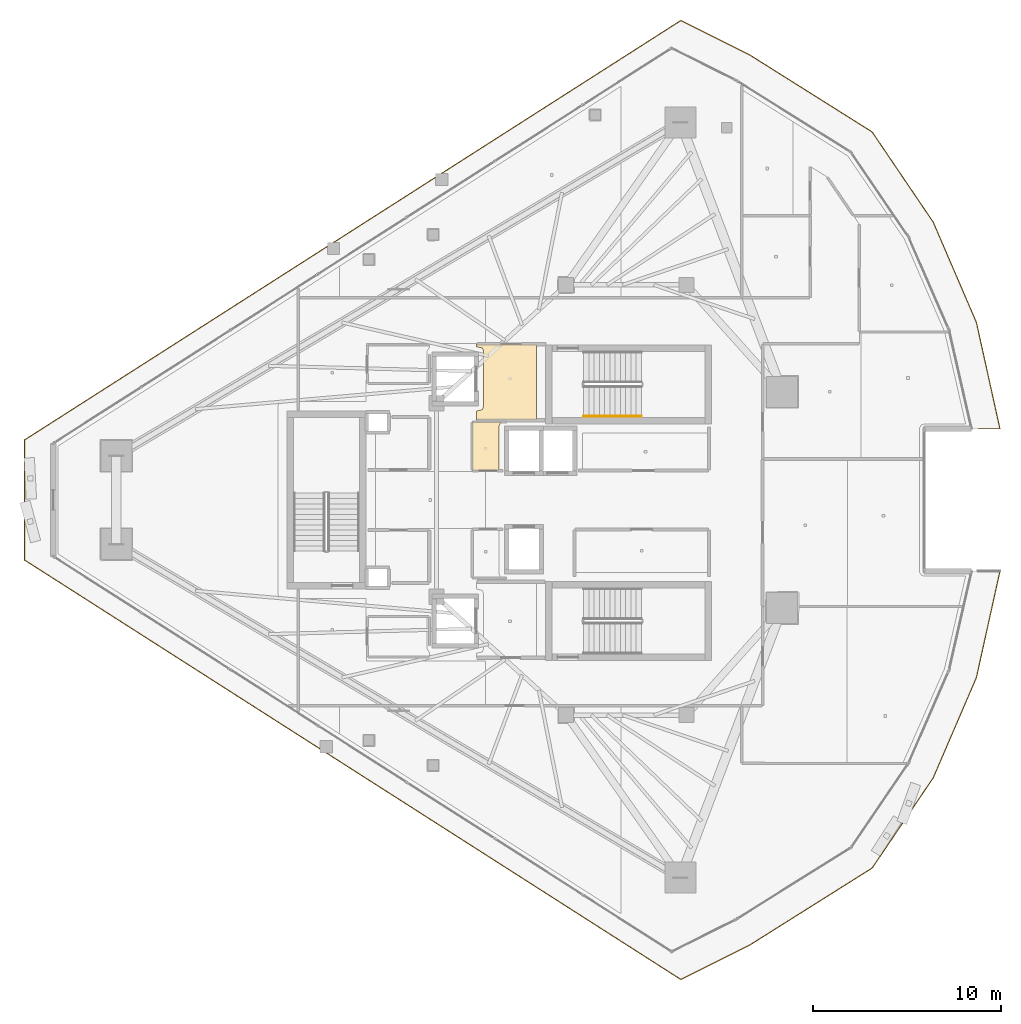
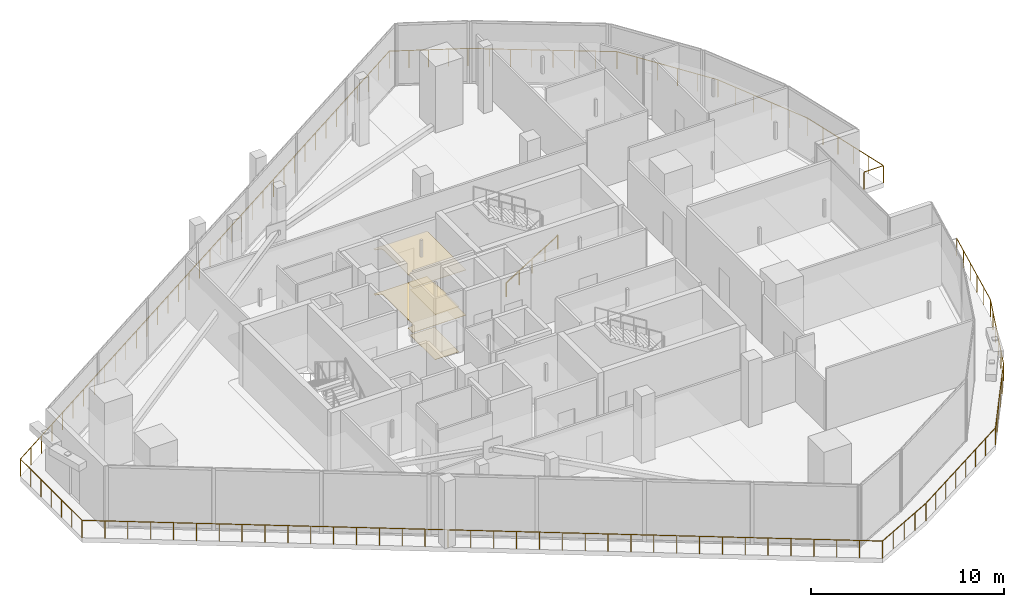
# One storey, part 32 of 34: 4 coverings, 2 railings.
"""IFC4 building model written with IfcOpenShell, lengths in metres."""

from ifc_helpers import new_model, si_unit, direction, frame, origin, origin_2d, place, context, subcontext, project, spatial, polyline, circle, outline, extrude, material, layer, layer_set, type_object, element, save


model = new_model("IFC4")

# Units and contexts
model_context = context("Model", 3, precision=1e-05, world=origin(), true_north=direction((0.0, 1.0)))
body_context = subcontext(model_context, "Body", "Model", "MODEL_VIEW")
ifc_project = project(units=[si_unit("LENGTHUNIT", "METRE"), si_unit("AREAUNIT", "SQUARE_METRE"), si_unit("VOLUMEUNIT", "CUBIC_METRE"), si_unit("PLANEANGLEUNIT", "RADIAN"), si_unit("MASSUNIT", "GRAM", prefix="KILO")], contexts=[model_context])

# Site, building, storey
site_placement = place(None, origin())
site = spatial("IfcSite", under=ifc_project, at=site_placement, CompositionType="ELEMENT")
building_placement = place(site_placement, origin())
building = spatial("IfcBuilding", under=site, at=building_placement, Name="Qorvath Tower", CompositionType="ELEMENT")
storey_placement = place(building_placement, frame((0.0, 0.0, 276.60009765625)))
storey = spatial("IfcBuildingStorey", under=building, at=storey_placement, Name="L64", CompositionType="ELEMENT", Elevation=276.60009765625)

# Coverings
ifc_material_1 = material(Name="Acoustic mineral fibre ceiling tile", Category="gypsum")
ifc_layer_1 = layer(ifc_material_1, 0.030029296875)
ifc_layer_set_1 = layer_set([ifc_layer_1], Name="COV-CEIL")
covering_type_1 = type_object("IfcCoveringType", Name="COV-CEIL", PredefinedType="CEILING", material=ifc_layer_set_1)
covering_1_placement = place(storey_placement, frame((0.0, 0.0, 2.849853515625)))
element("IfcCovering", 1, at=covering_1_placement, inside=storey, type_object=covering_type_1, Name="L64 Suspended Acoustic Ceiling 001", PredefinedType="CEILING", context=body_context, shape_type="SweptSolid", body=[
    extrude(outline(polyline([(-25.18994140625, 4.2548828125), (-25.18994140625, 8.294921875), (-28.375, 8.294921875), (-28.375, 8.159912109375), (-28.063232421875, 8.086669921875), (-27.989990234375, 7.909912109375), (-27.989990234375, 4.989990234375), (-28.063232421875, 4.813232421875), (-28.375, 4.739990234375), (-28.375, 4.2548828125), (-25.18994140625, 4.2548828125)])), origin(), (0.0, 0.0, 1.0), 0.030029296875),
])
covering_2_placement = place(storey_placement, frame((0.0, 0.0, 2.849853515625)))
element("IfcCovering", 2, at=covering_2_placement, inside=storey, type_object=covering_type_1, Name="L64 Suspended Acoustic Ceiling 005", PredefinedType="CEILING", context=body_context, shape_type="SweptSolid", body=[
    extrude(outline(polyline([(-27.159912109375, 1.56494140625), (-27.159912109375, 3.9599609375), (-27.06689453125, 4.14501953125), (-28.594970703125, 4.14501953125), (-28.594970703125, 1.56494140625), (-27.159912109375, 1.56494140625)])), origin(), (0.0, 0.0, 1.0), 0.030029296875),
])
ifc_material_2 = material(Name="Low-VOC modular carpet tile", Category="textile")
ifc_layer_2 = layer(ifc_material_2, 0.014892578125)
ifc_layer_set_2 = layer_set([ifc_layer_2], Name="COV-FLOOR-CPT")
covering_type_2 = type_object("IfcCoveringType", Name="COV-FLOOR-CPT", PredefinedType="FLOORING", material=ifc_layer_set_2)
covering_3_placement = place(storey_placement, origin())
element("IfcCovering", 3, at=covering_3_placement, inside=storey, type_object=covering_type_2, Name="L64 Floor Finish 005", PredefinedType="FLOORING", context=body_context, shape_type="SweptSolid", body=[
    extrude(outline(polyline([(-27.159912109375, 1.56494140625), (-27.159912109375, 3.9599609375), (-27.06689453125, 4.14501953125), (-28.594970703125, 4.14501953125), (-28.594970703125, 1.56494140625), (-27.159912109375, 1.56494140625)])), origin(), (0.0, 0.0, 1.0), 0.014892578125),
])
ifc_material_3 = material(Name="Polished epoxy terrazzo flooring", Category="concrete")
ifc_layer_3 = layer(ifc_material_3, 0.02001953125)
ifc_layer_set_3 = layer_set([ifc_layer_3], Name="COV-FLOOR-TRZ")
covering_type_3 = type_object("IfcCoveringType", Name="COV-FLOOR-TRZ", PredefinedType="FLOORING", material=ifc_layer_set_3)
covering_4_placement = place(storey_placement, origin())
element("IfcCovering", 4, at=covering_4_placement, inside=storey, type_object=covering_type_3, Name="L64 Floor Finish 001", PredefinedType="FLOORING", context=body_context, shape_type="SweptSolid", body=[
    extrude(outline(polyline([(-25.18994140625, 4.2548828125), (-25.18994140625, 8.294921875), (-28.375, 8.294921875), (-28.375, 8.159912109375), (-28.063232421875, 8.086669921875), (-27.989990234375, 7.909912109375), (-27.989990234375, 4.989990234375), (-28.063232421875, 4.813232421875), (-28.375, 4.739990234375), (-28.375, 4.2548828125), (-25.18994140625, 4.2548828125)])), origin(), (0.0, 0.0, 1.0), 0.014892578125),
])

# Railings
ifc_material_4 = material(Name="Laminated safety glass and stainless steel AISI 316", Category="steel")
railing_type_1 = type_object("IfcRailingType", Name="RL-EXT-GRD", PredefinedType="GUARDRAIL", material=ifc_material_4)
railing_1_placement = place(storey_placement, frame((-0.5029296875, -3.790771484375, 0.0)))
element("IfcRailing", 5, at=railing_1_placement, inside=storey, type_object=railing_type_1, Name="Loggia Perimeter Guardrail L64-1.1", PredefinedType="GUARDRAIL", context=body_context, shape_type="SweptSolid", body=[
    extrude(circle(Radius=0.02392578125, at=origin_2d()), frame((0.0, 0.0, 1.09619140625), z_axis=(-0.216053085193, -0.97638161821, 0.0), x_axis=(0.97638161821, -0.216053085193, 0.0)), (0.0, 0.0, 1.0), 5.804931640625),
    extrude(circle(Radius=0.02392578125, at=origin_2d()), frame((-1.254150390625, -5.667724609375, 1.09619140625), z_axis=(-0.39549727844, -0.918467148431, 0.0), x_axis=(0.918467148431, -0.39549727844, 0.0)), (0.0, 0.0, 1.0), 5.80517578125),
    extrude(circle(Radius=0.02392578125, at=origin_2d()), frame((-3.550048828125, -10.99951171875, 1.09619140625), z_axis=(-0.560828616458, -0.827931919279, 0.0), x_axis=(0.827931919279, -0.560828616458, 0.0)), (0.0, 0.0, 1.0), 5.804931640625),
    extrude(circle(Radius=0.02392578125, at=origin_2d()), frame((-6.8056640625, -15.8056640625, 1.09619140625), z_axis=(-0.846504202931, -0.532382038033, 0.0), x_axis=(0.532382038033, -0.846504202931, 0.0)), (0.0, 0.0, 1.0), 7.71923828125),
    extrude(circle(Radius=0.02392578125, at=origin_2d()), frame((-13.340087890625, -19.915283203125, 1.09619140625), z_axis=(-0.894403239972, -0.447261494349, 0.0), x_axis=(0.447261494349, -0.894403239972, 0.0)), (0.0, 0.0, 1.0), 4.07763671875),
    extrude(circle(Radius=0.02392578125, at=origin_2d()), frame((-16.987060546875, -21.739013671875, 1.09619140625), z_axis=(-0.842602711226, 0.538535672945, 0.0), x_axis=(-0.538535672945, -0.842602711226, 0.0)), (0.0, 0.0, 1.0), 41.480224609375),
    extrude(circle(Radius=0.02392578125, at=origin_2d()), frame((-51.9384765625, 0.599609375, 1.09619140625), z_axis=(0.0, 1.0, 0.0), x_axis=(-1.0, 0.0, 0.0)), (0.0, 0.0, 1.0), 6.38232421875),
    extrude(circle(Radius=0.02392578125, at=origin_2d()), frame((-51.9384765625, 6.98193359375, 1.09619140625), z_axis=(0.842602711226, 0.538535672945, 0.0), x_axis=(-0.538535672945, 0.842602711226, 0.0)), (0.0, 0.0, 1.0), 41.480224609375),
    extrude(circle(Radius=0.02392578125, at=origin_2d()), frame((-16.987060546875, 29.320556640625, 1.09619140625), z_axis=(0.894403239972, -0.447261494349, 0.0), x_axis=(0.447261494349, 0.894403239972, 0.0)), (0.0, 0.0, 1.0), 4.07763671875),
    extrude(circle(Radius=0.02392578125, at=origin_2d()), frame((-13.340087890625, 27.496826171875, 1.09619140625), z_axis=(0.846504202931, -0.532382038033, 0.0), x_axis=(0.532382038033, 0.846504202931, 0.0)), (0.0, 0.0, 1.0), 7.71923828125),
    extrude(circle(Radius=0.02392578125, at=origin_2d()), frame((-6.8056640625, 23.38720703125, 1.09619140625), z_axis=(0.560828616458, -0.827931919279, 0.0), x_axis=(0.827931919279, 0.560828616458, 0.0)), (0.0, 0.0, 1.0), 5.804931640625),
    extrude(circle(Radius=0.02392578125, at=origin_2d()), frame((-3.550048828125, 18.5810546875, 1.09619140625), z_axis=(0.39549727844, -0.918467148431, 0.0), x_axis=(0.918467148431, 0.39549727844, 0.0)), (0.0, 0.0, 1.0), 5.80517578125),
    extrude(circle(Radius=0.02392578125, at=origin_2d()), frame((-1.254150390625, 13.249267578125, 1.09619140625), z_axis=(0.216053085193, -0.97638161821, 0.0), x_axis=(0.97638161821, 0.216053085193, 0.0)), (0.0, 0.0, 1.0), 5.804931640625),
    extrude(circle(Radius=0.02392578125, at=origin_2d()), frame((0.0, 7.58154296875, 1.09619140625), z_axis=(-1.0, 0.0, 0.0), x_axis=(0.0, -1.0, 0.0)), (0.0, 0.0, 1.0), 1.158935546875),
    extrude(circle(Radius=0.02099609375, at=origin_2d()), origin(), (0.0, 0.0, 1.0), 1.072021484375),
    extrude(circle(Radius=0.02099609375, at=origin_2d()), frame((-0.250732421875, -1.133544921875, 0.0)), (0.0, 0.0, 1.0), 1.072021484375),
    extrude(circle(Radius=0.02099609375, at=origin_2d()), frame((-0.501708984375, -2.26708984375, 0.0)), (0.0, 0.0, 1.0), 1.072021484375),
    extrude(circle(Radius=0.02099609375, at=origin_2d()), frame((-0.75244140625, -3.400634765625, 0.0)), (0.0, 0.0, 1.0), 1.072021484375),
    extrude(circle(Radius=0.02099609375, at=origin_2d()), frame((-1.00341796875, -4.5341796875, 0.0)), (0.0, 0.0, 1.0), 1.072021484375),
    extrude(circle(Radius=0.02099609375, at=origin_2d()), frame((-1.254150390625, -5.667724609375, 0.0)), (0.0, 0.0, 1.0), 1.072021484375),
    extrude(circle(Radius=0.02099609375, at=origin_2d()), frame((-1.71337890625, -6.734130859375, 0.0)), (0.0, 0.0, 1.0), 1.072021484375),
    extrude(circle(Radius=0.02099609375, at=origin_2d()), frame((-2.172607421875, -7.800537109375, 0.0)), (0.0, 0.0, 1.0), 1.072021484375),
    extrude(circle(Radius=0.02099609375, at=origin_2d()), frame((-2.631591796875, -8.86669921875, 0.0)), (0.0, 0.0, 1.0), 1.072021484375),
    extrude(circle(Radius=0.02099609375, at=origin_2d()), frame((-3.0908203125, -9.93310546875, 0.0)), (0.0, 0.0, 1.0), 1.072021484375),
    extrude(circle(Radius=0.02099609375, at=origin_2d()), frame((-3.550048828125, -10.99951171875, 0.0)), (0.0, 0.0, 1.0), 1.072021484375),
    extrude(circle(Radius=0.02099609375, at=origin_2d()), frame((-4.201171875, -11.960693359375, 0.0)), (0.0, 0.0, 1.0), 1.072021484375),
    extrude(circle(Radius=0.02099609375, at=origin_2d()), frame((-4.852294921875, -12.921875, 0.0)), (0.0, 0.0, 1.0), 1.072021484375),
    extrude(circle(Radius=0.02099609375, at=origin_2d()), frame((-5.50341796875, -13.88330078125, 0.0)), (0.0, 0.0, 1.0), 1.072021484375),
    extrude(circle(Radius=0.02099609375, at=origin_2d()), frame((-6.154541015625, -14.844482421875, 0.0)), (0.0, 0.0, 1.0), 1.072021484375),
    extrude(circle(Radius=0.02099609375, at=origin_2d()), frame((-6.8056640625, -15.8056640625, 0.0)), (0.0, 0.0, 1.0), 1.072021484375),
    extrude(circle(Radius=0.02099609375, at=origin_2d()), frame((-7.7392578125, -16.392822265625, 0.0)), (0.0, 0.0, 1.0), 1.072021484375),
    extrude(circle(Radius=0.02099609375, at=origin_2d()), frame((-8.672607421875, -16.979736328125, 0.0)), (0.0, 0.0, 1.0), 1.072021484375),
    extrude(circle(Radius=0.02099609375, at=origin_2d()), frame((-9.606201171875, -17.56689453125, 0.0)), (0.0, 0.0, 1.0), 1.072021484375),
    extrude(circle(Radius=0.02099609375, at=origin_2d()), frame((-10.53955078125, -18.154052734375, 0.0)), (0.0, 0.0, 1.0), 1.072021484375),
    extrude(circle(Radius=0.02099609375, at=origin_2d()), frame((-11.47314453125, -18.7412109375, 0.0)), (0.0, 0.0, 1.0), 1.072021484375),
    extrude(circle(Radius=0.02099609375, at=origin_2d()), frame((-12.406494140625, -19.328125, 0.0)), (0.0, 0.0, 1.0), 1.072021484375),
    extrude(circle(Radius=0.02099609375, at=origin_2d()), frame((-13.340087890625, -19.915283203125, 0.0)), (0.0, 0.0, 1.0), 1.072021484375),
    extrude(circle(Radius=0.02099609375, at=origin_2d()), frame((-14.251953125, -20.37109375, 0.0)), (0.0, 0.0, 1.0), 1.072021484375),
    extrude(circle(Radius=0.02099609375, at=origin_2d()), frame((-15.16357421875, -20.8271484375, 0.0)), (0.0, 0.0, 1.0), 1.072021484375),
    extrude(circle(Radius=0.02099609375, at=origin_2d()), frame((-16.0751953125, -21.283203125, 0.0)), (0.0, 0.0, 1.0), 1.072021484375),
    extrude(circle(Radius=0.02099609375, at=origin_2d()), frame((-16.987060546875, -21.739013671875, 0.0)), (0.0, 0.0, 1.0), 1.072021484375),
    extrude(circle(Radius=0.02099609375, at=origin_2d()), frame((-17.985595703125, -21.100830078125, 0.0)), (0.0, 0.0, 1.0), 1.072021484375),
    extrude(circle(Radius=0.02099609375, at=origin_2d()), frame((-18.984375, -20.46240234375, 0.0)), (0.0, 0.0, 1.0), 1.072021484375),
    extrude(circle(Radius=0.02099609375, at=origin_2d()), frame((-19.98291015625, -19.82421875, 0.0)), (0.0, 0.0, 1.0), 1.072021484375),
    extrude(circle(Radius=0.02099609375, at=origin_2d()), frame((-20.9814453125, -19.18603515625, 0.0)), (0.0, 0.0, 1.0), 1.072021484375),
    extrude(circle(Radius=0.02099609375, at=origin_2d()), frame((-21.980224609375, -18.5478515625, 0.0)), (0.0, 0.0, 1.0), 1.072021484375),
    extrude(circle(Radius=0.02099609375, at=origin_2d()), frame((-22.978759765625, -17.909423828125, 0.0)), (0.0, 0.0, 1.0), 1.072021484375),
    extrude(circle(Radius=0.02099609375, at=origin_2d()), frame((-23.977294921875, -17.271240234375, 0.0)), (0.0, 0.0, 1.0), 1.072021484375),
    extrude(circle(Radius=0.02099609375, at=origin_2d()), frame((-24.97607421875, -16.633056640625, 0.0)), (0.0, 0.0, 1.0), 1.072021484375),
    extrude(circle(Radius=0.02099609375, at=origin_2d()), frame((-25.974609375, -15.994873046875, 0.0)), (0.0, 0.0, 1.0), 1.072021484375),
    extrude(circle(Radius=0.02099609375, at=origin_2d()), frame((-26.97314453125, -15.3564453125, 0.0)), (0.0, 0.0, 1.0), 1.072021484375),
    extrude(circle(Radius=0.02099609375, at=origin_2d()), frame((-27.9716796875, -14.71826171875, 0.0)), (0.0, 0.0, 1.0), 1.072021484375),
    extrude(circle(Radius=0.02099609375, at=origin_2d()), frame((-28.970458984375, -14.080078125, 0.0)), (0.0, 0.0, 1.0), 1.072021484375),
    extrude(circle(Radius=0.02099609375, at=origin_2d()), frame((-29.968994140625, -13.44189453125, 0.0)), (0.0, 0.0, 1.0), 1.072021484375),
    extrude(circle(Radius=0.02099609375, at=origin_2d()), frame((-30.967529296875, -12.803466796875, 0.0)), (0.0, 0.0, 1.0), 1.072021484375),
    extrude(circle(Radius=0.02099609375, at=origin_2d()), frame((-31.96630859375, -12.165283203125, 0.0)), (0.0, 0.0, 1.0), 1.072021484375),
    extrude(circle(Radius=0.02099609375, at=origin_2d()), frame((-32.96484375, -11.527099609375, 0.0)), (0.0, 0.0, 1.0), 1.072021484375),
    extrude(circle(Radius=0.02099609375, at=origin_2d()), frame((-33.96337890625, -10.888916015625, 0.0)), (0.0, 0.0, 1.0), 1.072021484375),
    extrude(circle(Radius=0.02099609375, at=origin_2d()), frame((-34.962158203125, -10.25048828125, 0.0)), (0.0, 0.0, 1.0), 1.072021484375),
    extrude(circle(Radius=0.02099609375, at=origin_2d()), frame((-35.960693359375, -9.6123046875, 0.0)), (0.0, 0.0, 1.0), 1.072021484375),
    extrude(circle(Radius=0.02099609375, at=origin_2d()), frame((-36.959228515625, -8.97412109375, 0.0)), (0.0, 0.0, 1.0), 1.072021484375),
    extrude(circle(Radius=0.02099609375, at=origin_2d()), frame((-37.9580078125, -8.3359375, 0.0)), (0.0, 0.0, 1.0), 1.072021484375),
    extrude(circle(Radius=0.02099609375, at=origin_2d()), frame((-38.95654296875, -7.697509765625, 0.0)), (0.0, 0.0, 1.0), 1.072021484375),
    extrude(circle(Radius=0.02099609375, at=origin_2d()), frame((-39.955078125, -7.059326171875, 0.0)), (0.0, 0.0, 1.0), 1.072021484375),
    extrude(circle(Radius=0.02099609375, at=origin_2d()), frame((-40.953857421875, -6.421142578125, 0.0)), (0.0, 0.0, 1.0), 1.072021484375),
    extrude(circle(Radius=0.02099609375, at=origin_2d()), frame((-41.952392578125, -5.782958984375, 0.0)), (0.0, 0.0, 1.0), 1.072021484375),
    extrude(circle(Radius=0.02099609375, at=origin_2d()), frame((-42.950927734375, -5.14453125, 0.0)), (0.0, 0.0, 1.0), 1.072021484375),
    extrude(circle(Radius=0.02099609375, at=origin_2d()), frame((-43.949462890625, -4.50634765625, 0.0)), (0.0, 0.0, 1.0), 1.072021484375),
    extrude(circle(Radius=0.02099609375, at=origin_2d()), frame((-44.9482421875, -3.8681640625, 0.0)), (0.0, 0.0, 1.0), 1.072021484375),
    extrude(circle(Radius=0.02099609375, at=origin_2d()), frame((-45.94677734375, -3.22998046875, 0.0)), (0.0, 0.0, 1.0), 1.072021484375),
    extrude(circle(Radius=0.02099609375, at=origin_2d()), frame((-46.9453125, -2.591552734375, 0.0)), (0.0, 0.0, 1.0), 1.072021484375),
    extrude(circle(Radius=0.02099609375, at=origin_2d()), frame((-47.944091796875, -1.953369140625, 0.0)), (0.0, 0.0, 1.0), 1.072021484375),
    extrude(circle(Radius=0.02099609375, at=origin_2d()), frame((-48.942626953125, -1.315185546875, 0.0)), (0.0, 0.0, 1.0), 1.072021484375),
    extrude(circle(Radius=0.02099609375, at=origin_2d()), frame((-49.941162109375, -0.677001953125, 0.0)), (0.0, 0.0, 1.0), 1.072021484375),
    extrude(circle(Radius=0.02099609375, at=origin_2d()), frame((-50.93994140625, -0.03857421875, 0.0)), (0.0, 0.0, 1.0), 1.072021484375),
    extrude(circle(Radius=0.02099609375, at=origin_2d()), frame((-51.9384765625, 0.599609375, 0.0)), (0.0, 0.0, 1.0), 1.072021484375),
    extrude(circle(Radius=0.02099609375, at=origin_2d()), frame((-51.9384765625, 1.663330078125, 0.0)), (0.0, 0.0, 1.0), 1.072021484375),
    extrude(circle(Radius=0.02099609375, at=origin_2d()), frame((-51.9384765625, 2.72705078125, 0.0)), (0.0, 0.0, 1.0), 1.072021484375),
    extrude(circle(Radius=0.02099609375, at=origin_2d()), frame((-51.9384765625, 3.790771484375, 0.0)), (0.0, 0.0, 1.0), 1.072021484375),
    extrude(circle(Radius=0.02099609375, at=origin_2d()), frame((-51.9384765625, 4.8544921875, 0.0)), (0.0, 0.0, 1.0), 1.072021484375),
    extrude(circle(Radius=0.02099609375, at=origin_2d()), frame((-51.9384765625, 5.918212890625, 0.0)), (0.0, 0.0, 1.0), 1.072021484375),
    extrude(circle(Radius=0.02099609375, at=origin_2d()), frame((-51.9384765625, 6.98193359375, 0.0)), (0.0, 0.0, 1.0), 1.072021484375),
    extrude(circle(Radius=0.02099609375, at=origin_2d()), frame((-50.93994140625, 7.6201171875, 0.0)), (0.0, 0.0, 1.0), 1.072021484375),
    extrude(circle(Radius=0.02099609375, at=origin_2d()), frame((-49.941162109375, 8.258544921875, 0.0)), (0.0, 0.0, 1.0), 1.072021484375),
    extrude(circle(Radius=0.02099609375, at=origin_2d()), frame((-48.942626953125, 8.896728515625, 0.0)), (0.0, 0.0, 1.0), 1.072021484375),
    extrude(circle(Radius=0.02099609375, at=origin_2d()), frame((-47.944091796875, 9.534912109375, 0.0)), (0.0, 0.0, 1.0), 1.072021484375),
    extrude(circle(Radius=0.02099609375, at=origin_2d()), frame((-46.9453125, 10.173095703125, 0.0)), (0.0, 0.0, 1.0), 1.072021484375),
    extrude(circle(Radius=0.02099609375, at=origin_2d()), frame((-45.94677734375, 10.8115234375, 0.0)), (0.0, 0.0, 1.0), 1.072021484375),
    extrude(circle(Radius=0.02099609375, at=origin_2d()), frame((-44.9482421875, 11.44970703125, 0.0)), (0.0, 0.0, 1.0), 1.072021484375),
    extrude(circle(Radius=0.02099609375, at=origin_2d()), frame((-43.949462890625, 12.087890625, 0.0)), (0.0, 0.0, 1.0), 1.072021484375),
    extrude(circle(Radius=0.02099609375, at=origin_2d()), frame((-42.950927734375, 12.72607421875, 0.0)), (0.0, 0.0, 1.0), 1.072021484375),
    extrude(circle(Radius=0.02099609375, at=origin_2d()), frame((-41.952392578125, 13.364501953125, 0.0)), (0.0, 0.0, 1.0), 1.072021484375),
    extrude(circle(Radius=0.02099609375, at=origin_2d()), frame((-40.953857421875, 14.002685546875, 0.0)), (0.0, 0.0, 1.0), 1.072021484375),
    extrude(circle(Radius=0.02099609375, at=origin_2d()), frame((-39.955078125, 14.640869140625, 0.0)), (0.0, 0.0, 1.0), 1.072021484375),
    extrude(circle(Radius=0.02099609375, at=origin_2d()), frame((-38.95654296875, 15.279052734375, 0.0)), (0.0, 0.0, 1.0), 1.072021484375),
    extrude(circle(Radius=0.02099609375, at=origin_2d()), frame((-37.9580078125, 15.91748046875, 0.0)), (0.0, 0.0, 1.0), 1.072021484375),
    extrude(circle(Radius=0.02099609375, at=origin_2d()), frame((-36.959228515625, 16.5556640625, 0.0)), (0.0, 0.0, 1.0), 1.072021484375),
    extrude(circle(Radius=0.02099609375, at=origin_2d()), frame((-35.960693359375, 17.19384765625, 0.0)), (0.0, 0.0, 1.0), 1.072021484375),
    extrude(circle(Radius=0.02099609375, at=origin_2d()), frame((-34.962158203125, 17.83203125, 0.0)), (0.0, 0.0, 1.0), 1.072021484375),
    extrude(circle(Radius=0.02099609375, at=origin_2d()), frame((-33.96337890625, 18.470458984375, 0.0)), (0.0, 0.0, 1.0), 1.072021484375),
    extrude(circle(Radius=0.02099609375, at=origin_2d()), frame((-32.96484375, 19.108642578125, 0.0)), (0.0, 0.0, 1.0), 1.072021484375),
    extrude(circle(Radius=0.02099609375, at=origin_2d()), frame((-31.96630859375, 19.746826171875, 0.0)), (0.0, 0.0, 1.0), 1.072021484375),
    extrude(circle(Radius=0.02099609375, at=origin_2d()), frame((-30.967529296875, 20.385009765625, 0.0)), (0.0, 0.0, 1.0), 1.072021484375),
    extrude(circle(Radius=0.02099609375, at=origin_2d()), frame((-29.968994140625, 21.0234375, 0.0)), (0.0, 0.0, 1.0), 1.072021484375),
    extrude(circle(Radius=0.02099609375, at=origin_2d()), frame((-28.970458984375, 21.66162109375, 0.0)), (0.0, 0.0, 1.0), 1.072021484375),
    extrude(circle(Radius=0.02099609375, at=origin_2d()), frame((-27.9716796875, 22.2998046875, 0.0)), (0.0, 0.0, 1.0), 1.072021484375),
    extrude(circle(Radius=0.02099609375, at=origin_2d()), frame((-26.97314453125, 22.93798828125, 0.0)), (0.0, 0.0, 1.0), 1.072021484375),
    extrude(circle(Radius=0.02099609375, at=origin_2d()), frame((-25.974609375, 23.576416015625, 0.0)), (0.0, 0.0, 1.0), 1.072021484375),
    extrude(circle(Radius=0.02099609375, at=origin_2d()), frame((-24.97607421875, 24.214599609375, 0.0)), (0.0, 0.0, 1.0), 1.072021484375),
    extrude(circle(Radius=0.02099609375, at=origin_2d()), frame((-23.977294921875, 24.852783203125, 0.0)), (0.0, 0.0, 1.0), 1.072021484375),
    extrude(circle(Radius=0.02099609375, at=origin_2d()), frame((-22.978759765625, 25.490966796875, 0.0)), (0.0, 0.0, 1.0), 1.072021484375),
    extrude(circle(Radius=0.02099609375, at=origin_2d()), frame((-21.980224609375, 26.12939453125, 0.0)), (0.0, 0.0, 1.0), 1.072021484375),
    extrude(circle(Radius=0.02099609375, at=origin_2d()), frame((-20.9814453125, 26.767578125, 0.0)), (0.0, 0.0, 1.0), 1.072021484375),
    extrude(circle(Radius=0.02099609375, at=origin_2d()), frame((-19.98291015625, 27.40576171875, 0.0)), (0.0, 0.0, 1.0), 1.072021484375),
    extrude(circle(Radius=0.02099609375, at=origin_2d()), frame((-18.984375, 28.0439453125, 0.0)), (0.0, 0.0, 1.0), 1.072021484375),
    extrude(circle(Radius=0.02099609375, at=origin_2d()), frame((-17.985595703125, 28.682373046875, 0.0)), (0.0, 0.0, 1.0), 1.072021484375),
    extrude(circle(Radius=0.02099609375, at=origin_2d()), frame((-16.987060546875, 29.320556640625, 0.0)), (0.0, 0.0, 1.0), 1.072021484375),
    extrude(circle(Radius=0.02099609375, at=origin_2d()), frame((-16.0751953125, 28.86474609375, 0.0)), (0.0, 0.0, 1.0), 1.072021484375),
    extrude(circle(Radius=0.02099609375, at=origin_2d()), frame((-15.16357421875, 28.40869140625, 0.0)), (0.0, 0.0, 1.0), 1.072021484375),
    extrude(circle(Radius=0.02099609375, at=origin_2d()), frame((-14.251953125, 27.95263671875, 0.0)), (0.0, 0.0, 1.0), 1.072021484375),
    extrude(circle(Radius=0.02099609375, at=origin_2d()), frame((-13.340087890625, 27.496826171875, 0.0)), (0.0, 0.0, 1.0), 1.072021484375),
    extrude(circle(Radius=0.02099609375, at=origin_2d()), frame((-12.406494140625, 26.90966796875, 0.0)), (0.0, 0.0, 1.0), 1.072021484375),
    extrude(circle(Radius=0.02099609375, at=origin_2d()), frame((-11.47314453125, 26.32275390625, 0.0)), (0.0, 0.0, 1.0), 1.072021484375),
    extrude(circle(Radius=0.02099609375, at=origin_2d()), frame((-10.53955078125, 25.735595703125, 0.0)), (0.0, 0.0, 1.0), 1.072021484375),
    extrude(circle(Radius=0.02099609375, at=origin_2d()), frame((-9.606201171875, 25.1484375, 0.0)), (0.0, 0.0, 1.0), 1.072021484375),
    extrude(circle(Radius=0.02099609375, at=origin_2d()), frame((-8.672607421875, 24.561279296875, 0.0)), (0.0, 0.0, 1.0), 1.072021484375),
    extrude(circle(Radius=0.02099609375, at=origin_2d()), frame((-7.7392578125, 23.974365234375, 0.0)), (0.0, 0.0, 1.0), 1.072021484375),
    extrude(circle(Radius=0.02099609375, at=origin_2d()), frame((-6.8056640625, 23.38720703125, 0.0)), (0.0, 0.0, 1.0), 1.072021484375),
    extrude(circle(Radius=0.02099609375, at=origin_2d()), frame((-6.154541015625, 22.426025390625, 0.0)), (0.0, 0.0, 1.0), 1.072021484375),
    extrude(circle(Radius=0.02099609375, at=origin_2d()), frame((-5.50341796875, 21.46484375, 0.0)), (0.0, 0.0, 1.0), 1.072021484375),
    extrude(circle(Radius=0.02099609375, at=origin_2d()), frame((-4.852294921875, 20.50341796875, 0.0)), (0.0, 0.0, 1.0), 1.072021484375),
    extrude(circle(Radius=0.02099609375, at=origin_2d()), frame((-4.201171875, 19.542236328125, 0.0)), (0.0, 0.0, 1.0), 1.072021484375),
    extrude(circle(Radius=0.02099609375, at=origin_2d()), frame((-3.550048828125, 18.5810546875, 0.0)), (0.0, 0.0, 1.0), 1.072021484375),
    extrude(circle(Radius=0.02099609375, at=origin_2d()), frame((-3.0908203125, 17.5146484375, 0.0)), (0.0, 0.0, 1.0), 1.072021484375),
    extrude(circle(Radius=0.02099609375, at=origin_2d()), frame((-2.631591796875, 16.4482421875, 0.0)), (0.0, 0.0, 1.0), 1.072021484375),
    extrude(circle(Radius=0.02099609375, at=origin_2d()), frame((-2.172607421875, 15.382080078125, 0.0)), (0.0, 0.0, 1.0), 1.072021484375),
    extrude(circle(Radius=0.02099609375, at=origin_2d()), frame((-1.71337890625, 14.315673828125, 0.0)), (0.0, 0.0, 1.0), 1.072021484375),
    extrude(circle(Radius=0.02099609375, at=origin_2d()), frame((-1.254150390625, 13.249267578125, 0.0)), (0.0, 0.0, 1.0), 1.072021484375),
    extrude(circle(Radius=0.02099609375, at=origin_2d()), frame((-1.00341796875, 12.11572265625, 0.0)), (0.0, 0.0, 1.0), 1.072021484375),
    extrude(circle(Radius=0.02099609375, at=origin_2d()), frame((-0.75244140625, 10.982177734375, 0.0)), (0.0, 0.0, 1.0), 1.072021484375),
    extrude(circle(Radius=0.02099609375, at=origin_2d()), frame((-0.501708984375, 9.8486328125, 0.0)), (0.0, 0.0, 1.0), 1.072021484375),
    extrude(circle(Radius=0.02099609375, at=origin_2d()), frame((-0.250732421875, 8.715087890625, 0.0)), (0.0, 0.0, 1.0), 1.072021484375),
    extrude(circle(Radius=0.02099609375, at=origin_2d()), frame((0.0, 7.58154296875, 0.0)), (0.0, 0.0, 1.0), 1.072021484375),
    extrude(circle(Radius=0.02099609375, at=origin_2d()), frame((-1.158935546875, 7.58154296875, 0.0)), (0.0, 0.0, 1.0), 1.072021484375),
])
ifc_material_5 = material(Name="Brushed stainless steel AISI 304", Category="steel")
railing_type_2 = type_object("IfcRailingType", Name="RL-STR-HND", PredefinedType="HANDRAIL", material=ifc_material_5)
railing_2_placement = place(storey_placement, frame((-22.669921875, 4.449951171875, 0.1748046875)))
element("IfcRailing", 6, at=railing_2_placement, inside=storey, type_object=railing_type_2, Name="L64 TS1 stair handrail 1", PredefinedType="HANDRAIL", context=body_context, shape_type="SweptSolid", body=[
    extrude(circle(Radius=0.02392578125, at=origin_2d()), frame((0.0, 0.0, 0.8759765625), z_axis=(0.847979421464, 0.0, 0.530029150871), x_axis=(0.0, 1.0, 0.0)), (0.0, 0.0, 1.0), 3.632080078125),
    extrude(circle(Radius=0.02099609375, at=origin_2d()), origin(), (0.0, 0.0, 1.0), 0.851806640625),
    extrude(circle(Radius=0.02099609375, at=origin_2d()), frame((0.77001953125, 0.0, 0.481201171875)), (0.0, 0.0, 1.0), 0.851806640625),
    extrude(circle(Radius=0.02099609375, at=origin_2d()), frame((1.5400390625, 0.0, 0.96240234375)), (0.0, 0.0, 1.0), 0.851806640625),
    extrude(circle(Radius=0.02099609375, at=origin_2d()), frame((2.309814453125, 0.0, 1.44384765625)), (0.0, 0.0, 1.0), 0.851806640625),
    extrude(circle(Radius=0.02099609375, at=origin_2d()), frame((3.079833984375, 0.0, 1.925048828125)), (0.0, 0.0, 1.0), 0.851806640625),
])

save(model, "model.ifc")
